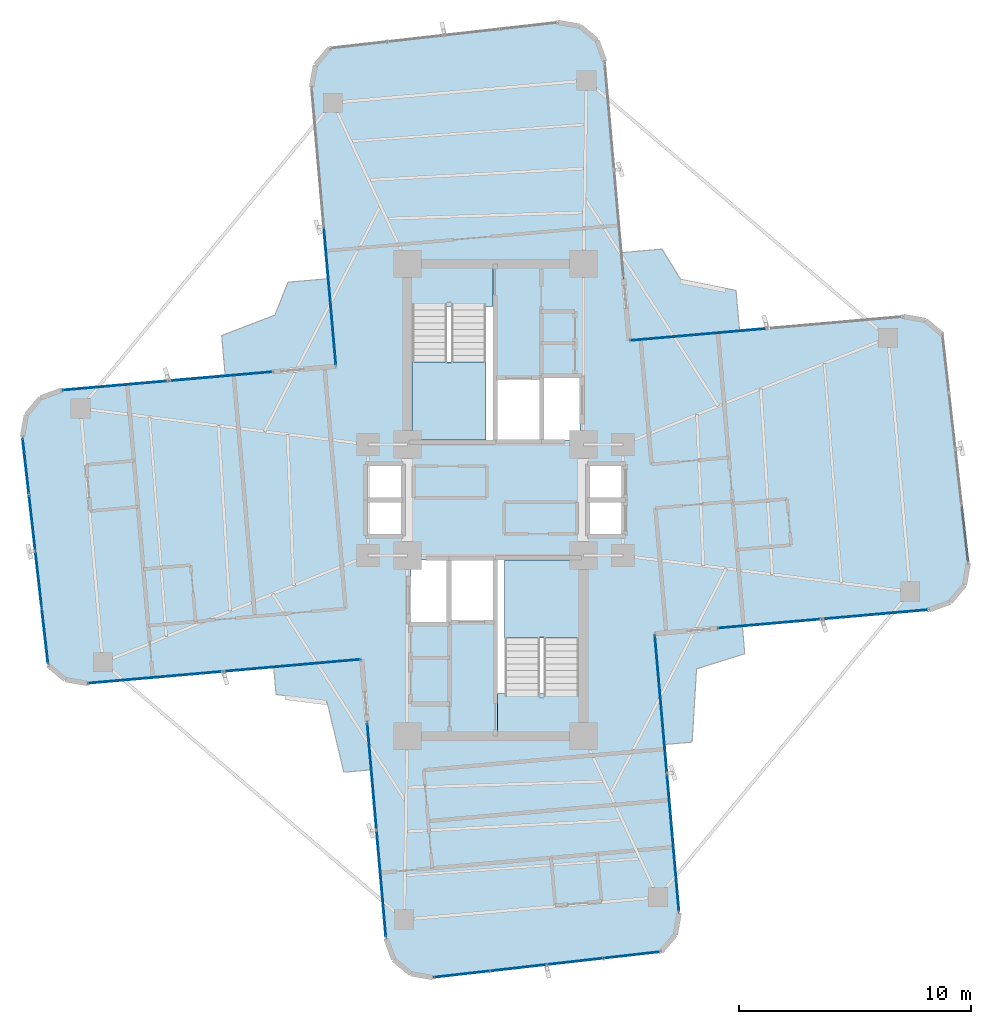
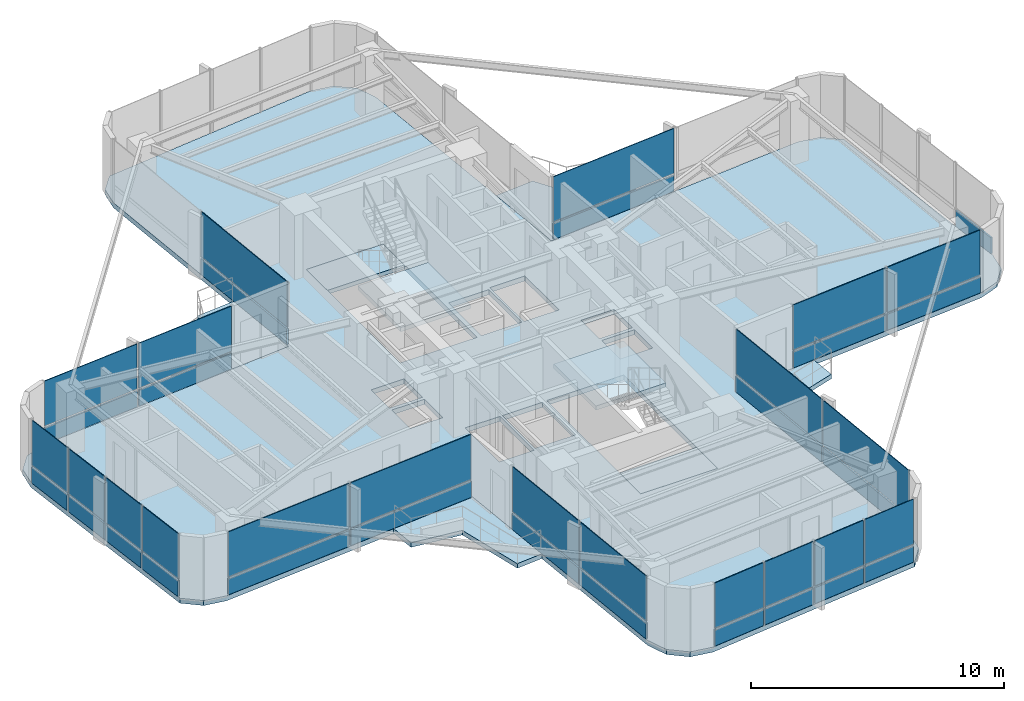
# One storey, part 19 of 24: 41 plates, 9 slabs, 12 elements without a shape of their own.
"""IFC4 building model written with IfcOpenShell, lengths in metres."""

from ifc_helpers import new_model, si_unit, direction, frame, origin, origin_2d, place, context, subcontext, project, spatial, polyline, rectangle, outline, extrude, source, transform, mapped, material, layer, layer_set, type_object, element, aggregate, save


model = new_model("IFC4")

# Units and contexts
model_context = context("Model", 3, precision=1e-05, world=origin(), true_north=direction((0.0, 1.0)))
body_context = subcontext(model_context, "Body", "Model", "MODEL_VIEW")
ifc_project = project(units=[si_unit("LENGTHUNIT", "METRE"), si_unit("AREAUNIT", "SQUARE_METRE"), si_unit("VOLUMEUNIT", "CUBIC_METRE"), si_unit("PLANEANGLEUNIT", "RADIAN"), si_unit("MASSUNIT", "GRAM", prefix="KILO")], contexts=[model_context])

# Site, building, storey
site_placement = place(None, origin())
site = spatial("IfcSite", under=ifc_project, at=site_placement, CompositionType="ELEMENT")
building_placement = place(site_placement, origin())
building = spatial("IfcBuilding", under=site, at=building_placement, Name="Sahyath Konkavel Grand Hotel", CompositionType="ELEMENT")
storey_placement = place(building_placement, frame((0.0, 0.0, 195.300048828125)))
storey = spatial("IfcBuildingStorey", under=building, at=storey_placement, Name="L54", CompositionType="ELEMENT", Elevation=195.300048828125)

# Slabs
ifc_material_1 = material(Name="Concrete C40/50", Category="concrete")
ifc_layer_1 = layer(ifc_material_1, 0.239990234375)
ifc_layer_set_1 = layer_set([ifc_layer_1], Name="Concrete C40/50")
slab_type_1 = type_object("IfcSlabType", Name="SLB-240", PredefinedType="FLOOR", material=ifc_layer_set_1)
slab_1_placement = place(storey_placement, frame((0.0, 0.0, -0.239990234375)))
element("IfcSlab", 1, at=slab_1_placement, inside=storey, type_object=slab_type_1, Name="L54 Structural Floor Slab", PredefinedType="FLOOR", context=body_context, shape_type="SweptSolid", body=[
    extrude(outline(polyline([(6.87939453125, -5.7724609375), (18.73388671875, -4.735107421875), (19.6337890625, -4.40771484375), (20.24951171875, -3.674072265625), (20.415771484375, -2.73095703125), (19.3037109375, 7.134521484375), (18.5703125, 7.75), (17.627197265625, 7.91650390625), (5.7724609375, 6.87939453125), (4.7177734375, 18.93310546875), (4.390380859375, 19.8330078125), (3.65673828125, 20.44873046875), (2.713623046875, 20.614990234375), (-7.152099609375, 19.5029296875), (-7.767578125, 18.769287109375), (-7.933837890625, 17.826416015625), (-6.87939453125, 5.7724609375), (-18.73388671875, 4.735107421875), (-19.6337890625, 4.40771484375), (-20.24951171875, 3.674072265625), (-20.415771484375, 2.73095703125), (-19.3037109375, -7.134521484375), (-18.5703125, -7.75), (-17.627197265625, -7.91650390625), (-5.7724609375, -6.87939453125), (-4.7177734375, -18.93310546875), (-4.390380859375, -19.8330078125), (-3.65673828125, -20.44873046875), (-2.713623046875, -20.614990234375), (7.152099609375, -19.5029296875), (7.767578125, -18.769287109375), (7.933837890625, -17.826416015625), (6.87939453125, -5.7724609375)]), holes=[polyline([(-3.6201171875, 2.580078125), (-0.10009765625, 2.580078125), (-0.10009765625, 10.02001953125), (-3.6201171875, 10.02001953125), (-3.6201171875, 2.580078125)]), polyline([(0.10009765625, -10.02001953125), (3.6201171875, -10.02001953125), (3.6201171875, -2.580078125), (0.10009765625, -2.580078125), (0.10009765625, -10.02001953125)]), polyline([(0.10009765625, 2.60009765625), (1.949951171875, 2.60009765625), (1.949951171875, 5.199951171875), (0.10009765625, 5.199951171875), (0.10009765625, 2.60009765625)]), polyline([(-1.949951171875, -5.199951171875), (-0.10009765625, -5.199951171875), (-0.10009765625, -2.60009765625), (-1.949951171875, -2.60009765625), (-1.949951171875, -5.199951171875)]), polyline([(2.050048828125, 2.60009765625), (3.64990234375, 2.60009765625), (3.64990234375, 5.300048828125), (2.050048828125, 5.300048828125), (2.050048828125, 2.60009765625)]), polyline([(-3.64990234375, -5.300048828125), (-2.050048828125, -5.300048828125), (-2.050048828125, -2.60009765625), (-3.64990234375, -2.60009765625), (-3.64990234375, -5.300048828125)]), polyline([(4.050048828125, 0.080078125), (5.550048828125, 0.080078125), (5.550048828125, 1.5400390625), (4.050048828125, 1.5400390625), (4.050048828125, 0.080078125)]), polyline([(4.050048828125, -1.5400390625), (5.550048828125, -1.5400390625), (5.550048828125, -0.080078125), (4.050048828125, -0.080078125), (4.050048828125, -1.5400390625)]), polyline([(-5.550048828125, 0.080078125), (-4.050048828125, 0.080078125), (-4.050048828125, 1.5400390625), (-5.550048828125, 1.5400390625), (-5.550048828125, 0.080078125)]), polyline([(-5.550048828125, -1.5400390625), (-4.050048828125, -1.5400390625), (-4.050048828125, -0.080078125), (-5.550048828125, -0.080078125), (-5.550048828125, -1.5400390625)])]), origin(), (0.0, 0.0, 1.0), 0.239990234375),
])
ifc_layer_2 = layer(ifc_material_1, 0.219970703125)
ifc_layer_set_2 = layer_set([ifc_layer_2], Name="Concrete C40/50")
slab_type_2 = type_object("IfcSlabType", Name="SLB-BALCONY-220", PredefinedType="FLOOR", material=ifc_layer_set_2)
slab_2_placement = place(storey_placement, frame((0.0, 0.0, -0.219970703125)))
element("IfcSlab", 2, at=slab_2_placement, inside=storey, type_object=slab_type_2, Name="L54 Winter-Garden Balcony NE", PredefinedType="FLOOR", context=body_context, shape_type="SweptSolid", body=[
    extrude(outline(polyline([(5.7724609375, 6.87939453125), (10.541259765625, 7.29638671875), (10.3876953125, 9.05029296875), (7.9951171875, 9.528076171875), (7.19384765625, 10.831298828125), (5.440185546875, 10.677734375), (5.7724609375, 6.87939453125)])), origin(), (0.0, 0.0, 1.0), 0.219970703125),
])
slab_3_placement = place(storey_placement, frame((0.0, 0.0, -0.219970703125)))
element("IfcSlab", 3, at=slab_3_placement, inside=storey, type_object=slab_type_2, Name="L54 Winter-Garden Balcony NW", PredefinedType="FLOOR", context=body_context, shape_type="SweptSolid", body=[
    extrude(outline(polyline([(-6.87939453125, 5.7724609375), (-7.210205078125, 9.554931640625), (-8.955322265625, 9.40234375), (-9.51513671875, 7.984130859375), (-11.816650390625, 7.098876953125), (-11.6640625, 5.353759765625), (-6.87939453125, 5.7724609375)])), origin(), (0.0, 0.0, 1.0), 0.219970703125),
])
slab_4_placement = place(storey_placement, frame((0.0, 0.0, -0.219970703125)))
element("IfcSlab", 4, at=slab_4_placement, inside=storey, type_object=slab_type_2, Name="L54 Winter-Garden Balcony SW", PredefinedType="FLOOR", context=body_context, shape_type="SweptSolid", body=[
    extrude(outline(polyline([(-5.7724609375, -6.87939453125), (-9.57080078125, -7.211669921875), (-9.467041015625, -8.398681640625), (-7.27685546875, -8.672119140625), (-6.542236328125, -11.751953125), (-5.355224609375, -11.648193359375), (-5.7724609375, -6.87939453125)])), origin(), (0.0, 0.0, 1.0), 0.219970703125),
])
slab_5_placement = place(storey_placement, frame((0.0, 0.0, -0.219970703125)))
element("IfcSlab", 5, at=slab_5_placement, inside=storey, type_object=slab_type_2, Name="L54 Winter-Garden Balcony SE", PredefinedType="FLOOR", context=body_context, shape_type="SweptSolid", body=[
    extrude(outline(polyline([(6.87939453125, -5.7724609375), (7.2978515625, -10.55712890625), (8.49365234375, -10.452392578125), (8.685302734375, -7.287841796875), (10.766357421875, -6.63720703125), (10.661865234375, -5.44140625), (6.87939453125, -5.7724609375)])), origin(), (0.0, 0.0, 1.0), 0.219970703125),
])

# Stair, slab
stair_type = type_object("IfcStairType", Name="STR-ST16-335", PredefinedType="HALF_TURN_STAIR", material=ifc_material_1)
stair_1_placement = place(storey_placement, origin())
stair_1 = element("IfcStair", 6, at=stair_1_placement, inside=storey, type_object=stair_type, Name="L54 North Core Smokeproof Exit Stair ST-1", PredefinedType="HALF_TURN_STAIR")
ifc_layer_3 = layer(ifc_material_1, 0.199951171875)
ifc_layer_set_3 = layer_set([ifc_layer_3], Name="Concrete C40/50")
slab_type_3 = type_object("IfcSlabType", Name="SLB-STAIR-LND", PredefinedType="LANDING", material=ifc_layer_set_3)
slab_6_placement = place(storey_placement, frame((0.0, 0.0, 1.474853515625)))
slab_6 = element("IfcSlab", 7, at=slab_6_placement, type_object=slab_type_3, Name="ST-1 landing 1", PredefinedType="LANDING", context=body_context, shape_type="SweptSolid", body=[
    extrude(outline(polyline([(-3.60009765625, 5.9599609375), (-3.60009765625, 2.60009765625), (-0.39990234375, 2.60009765625), (-0.39990234375, 5.9599609375), (-3.60009765625, 5.9599609375)])), origin(), (0.0, 0.0, 1.0), 0.2001953125),
])
aggregate(stair_1, [slab_6])

stair_2_placement = place(storey_placement, origin())
stair_2 = element("IfcStair", 8, at=stair_2_placement, inside=storey, type_object=stair_type, Name="L54 South Core Smokeproof Exit Stair ST-2", PredefinedType="HALF_TURN_STAIR")
slab_7_placement = place(storey_placement, frame((0.0, 0.0, 1.474853515625)))
slab_7 = element("IfcSlab", 9, at=slab_7_placement, type_object=slab_type_3, Name="ST-2 landing 1", PredefinedType="LANDING", context=body_context, shape_type="SweptSolid", body=[
    extrude(outline(polyline([(3.60009765625, -5.9599609375), (3.60009765625, -2.60009765625), (0.39990234375, -2.60009765625), (0.39990234375, -5.9599609375), (3.60009765625, -5.9599609375)])), origin(), (0.0, 0.0, 1.0), 0.2001953125),
])
aggregate(stair_2, [slab_7])

# Slabs
slab_8_placement = place(storey_placement, frame((0.0, 0.0, -0.199951171875)))
element("IfcSlab", 10, at=slab_8_placement, inside=storey, type_object=slab_type_3, Name="L54 Stair ST-1 Floor Landing Slab", PredefinedType="LANDING", context=body_context, shape_type="SweptSolid", body=[
    extrude(outline(polyline([(-3.6201171875, 8.35009765625), (-0.10009765625, 8.35009765625), (-0.10009765625, 10.02001953125), (-3.6201171875, 10.02001953125), (-3.6201171875, 8.35009765625)])), origin(), (0.0, 0.0, 1.0), 0.199951171875),
])
slab_9_placement = place(storey_placement, frame((0.0, 0.0, -0.199951171875)))
element("IfcSlab", 11, at=slab_9_placement, inside=storey, type_object=slab_type_3, Name="L54 Stair ST-2 Floor Landing Slab", PredefinedType="LANDING", context=body_context, shape_type="SweptSolid", body=[
    extrude(outline(polyline([(0.10009765625, -10.02001953125), (3.6201171875, -10.02001953125), (3.6201171875, -8.35009765625), (0.10009765625, -8.35009765625), (0.10009765625, -10.02001953125)])), origin(), (0.0, 0.0, 1.0), 0.199951171875),
])

# Curtain wall, plates
ifc_material_2 = material(Name="Anodised Bronze Aluminium & Low-E Glazing", Category="aluminium")
curtain_wall_type = type_object("IfcCurtainWallType", Name="CW-ZONE3", PredefinedType="NOTDEFINED", material=ifc_material_2)
curtain_wall_1_placement = place(storey_placement, origin())
curtain_wall_1 = element("IfcCurtainWall", 12, at=curtain_wall_1_placement, inside=storey, type_object=curtain_wall_type, Name="L54 Unitised Curtain Wall F0", PredefinedType="NOTDEFINED")
ifc_material_3 = material(Name="Warm Buff Sandstone Cladding", Category="masonry")
ifc_layer_4 = layer(ifc_material_3, 0.074951171875)
ifc_layer_set_4 = layer_set([ifc_layer_4], Name="Warm Buff Sandstone Cladding")
plate_type_1 = type_object("IfcPlateType", Name="PNL-SPANDREL-STONE", PredefinedType="SHEET", material=ifc_layer_set_4)
shared_shape_1 = source(origin(), body_context, "Body", "SweptSolid", [
    extrude(rectangle(XDim=4.47998046875, YDim=0.074951171875, at=origin_2d()), origin(), (0.0, 0.0, 1.0), 0.77001953125),
])
plate_1_placement = place(storey_placement, frame((11.880126953125, -5.334716796875, 0.0400390625), z_axis=(0.0, 0.0, 1.0), x_axis=(0.996194698092, 0.087155742748, 0.0)))
plate_1 = element("IfcPlate", 13, at=plate_1_placement, type_object=plate_type_1, Name="L54 Sandstone Relief Spandrel Panel F0-0", PredefinedType="SHEET", context=body_context, shape_type="MappedRepresentation", body=[
    mapped(shared_shape_1, transform((0.0, 0.0, 0.0), scale=1.0)),
])
plate_2_placement = place(storey_placement, frame((16.4228515625, -4.9375, 0.0400390625), z_axis=(0.0, 0.0, 1.0), x_axis=(0.996194698092, 0.087155742748, 0.0)))
plate_2 = element("IfcPlate", 14, at=plate_2_placement, type_object=plate_type_1, Name="L54 Sandstone Relief Spandrel Panel F0-1", PredefinedType="SHEET", context=body_context, shape_type="MappedRepresentation", body=[
    mapped(shared_shape_1, transform((0.0, 0.0, 0.0), scale=1.0)),
])

curtain_wall_2_placement = place(storey_placement, origin())
curtain_wall_2 = element("IfcCurtainWall", 15, at=curtain_wall_2_placement, inside=storey, type_object=curtain_wall_type, Name="L54 Unitised Curtain Wall F16", PredefinedType="NOTDEFINED")
plate_3_placement = place(storey_placement, frame((-11.880126953125, 5.334716796875, 0.0400390625), z_axis=(0.0, 0.0, 1.0), x_axis=(-0.996194698092, -0.087155742748, 0.0)))
plate_3 = element("IfcPlate", 16, at=plate_3_placement, type_object=plate_type_1, Name="L54 Sandstone Relief Spandrel Panel F16-0", PredefinedType="SHEET", context=body_context, shape_type="MappedRepresentation", body=[
    mapped(shared_shape_1, transform((0.0, 0.0, 0.0), scale=1.0)),
])
plate_4_placement = place(storey_placement, frame((-16.4228515625, 4.9375, 0.0400390625), z_axis=(0.0, 0.0, 1.0), x_axis=(-0.996194698092, -0.087155742748, 0.0)))
plate_4 = element("IfcPlate", 17, at=plate_4_placement, type_object=plate_type_1, Name="L54 Sandstone Relief Spandrel Panel F16-1", PredefinedType="SHEET", context=body_context, shape_type="MappedRepresentation", body=[
    mapped(shared_shape_1, transform((0.0, 0.0, 0.0), scale=1.0)),
])

# Curtain wall, plate
curtain_wall_3_placement = place(storey_placement, origin())
curtain_wall_3 = element("IfcCurtainWall", 18, at=curtain_wall_3_placement, inside=storey, type_object=curtain_wall_type, Name="L54 Unitised Curtain Wall F4", PredefinedType="NOTDEFINED")
shared_shape_2 = source(origin(), body_context, "Body", "SweptSolid", [
    extrude(rectangle(XDim=2.382080078125, YDim=0.074951171875, at=origin_2d()), origin(), (0.0, 0.0, 1.0), 0.77001953125),
])
plate_5_placement = place(storey_placement, frame((20.2734375, -1.468017578125, 0.0400390625), z_axis=(0.0, 0.0, 1.0), x_axis=(-0.111989252568, 0.993709417943, 0.0)))
plate_5 = element("IfcPlate", 19, at=plate_5_placement, type_object=plate_type_1, Name="L54 Sandstone Relief Spandrel Panel F4-0", PredefinedType="SHEET", context=body_context, shape_type="MappedRepresentation", body=[
    mapped(shared_shape_2, transform((0.0, 0.0, 0.0), scale=1.0)),
])
aggregate(curtain_wall_3, [plate_5])

# Curtain wall, plates
curtain_wall_4_placement = place(storey_placement, origin())
curtain_wall_4 = element("IfcCurtainWall", 20, at=curtain_wall_4_placement, inside=storey, type_object=curtain_wall_type, Name="L54 Unitised Curtain Wall F20", PredefinedType="NOTDEFINED")
plate_6_placement = place(storey_placement, frame((-20.2734375, 1.468017578125, 0.0400390625), z_axis=(0.0, 0.0, 1.0), x_axis=(0.111989252568, -0.993709417943, 0.0)))
plate_6 = element("IfcPlate", 21, at=plate_6_placement, type_object=plate_type_1, Name="L54 Sandstone Relief Spandrel Panel F20-0", PredefinedType="SHEET", context=body_context, shape_type="MappedRepresentation", body=[
    mapped(shared_shape_2, transform((0.0, 0.0, 0.0), scale=1.0)),
])
plate_7_placement = place(storey_placement, frame((-19.99755859375, -0.978515625, 0.0400390625), z_axis=(0.0, 0.0, 1.0), x_axis=(0.111989252568, -0.993709417943, 0.0)))
plate_7 = element("IfcPlate", 22, at=plate_7_placement, type_object=plate_type_1, Name="L54 Sandstone Relief Spandrel Panel F20-1", PredefinedType="SHEET", context=body_context, shape_type="MappedRepresentation", body=[
    mapped(shared_shape_2, transform((0.0, 0.0, 0.0), scale=1.0)),
])
plate_8_placement = place(storey_placement, frame((-19.7216796875, -3.425048828125, 0.0400390625), z_axis=(0.0, 0.0, 1.0), x_axis=(0.111989252568, -0.993709417943, 0.0)))
plate_8 = element("IfcPlate", 23, at=plate_8_placement, type_object=plate_type_1, Name="L54 Sandstone Relief Spandrel Panel F20-2", PredefinedType="SHEET", context=body_context, shape_type="MappedRepresentation", body=[
    mapped(shared_shape_2, transform((0.0, 0.0, 0.0), scale=1.0)),
])
plate_9_placement = place(storey_placement, frame((-19.446044921875, -5.87158203125, 0.0400390625), z_axis=(0.0, 0.0, 1.0), x_axis=(0.111989252568, -0.993709417943, 0.0)))
plate_9 = element("IfcPlate", 24, at=plate_9_placement, type_object=plate_type_1, Name="L54 Sandstone Relief Spandrel Panel F20-3", PredefinedType="SHEET", context=body_context, shape_type="MappedRepresentation", body=[
    mapped(shared_shape_2, transform((0.0, 0.0, 0.0), scale=1.0)),
])

curtain_wall_5_placement = place(storey_placement, origin())
curtain_wall_5 = element("IfcCurtainWall", 25, at=curtain_wall_5_placement, inside=storey, type_object=curtain_wall_type, Name="L54 Unitised Curtain Wall F28", PredefinedType="NOTDEFINED")
plate_10_placement = place(storey_placement, frame((-1.45068359375, -20.47265625, 0.0400390625), z_axis=(0.0, 0.0, 1.0), x_axis=(0.993707463211, 0.112006596052, 0.0)))
plate_10 = element("IfcPlate", 26, at=plate_10_placement, type_object=plate_type_1, Name="L54 Sandstone Relief Spandrel Panel F28-0", PredefinedType="SHEET", context=body_context, shape_type="MappedRepresentation", body=[
    mapped(shared_shape_2, transform((0.0, 0.0, 0.0), scale=1.0)),
])
plate_11_placement = place(storey_placement, frame((0.995849609375, -20.197021484375, 0.0400390625), z_axis=(0.0, 0.0, 1.0), x_axis=(0.993707463211, 0.112006596052, 0.0)))
plate_11 = element("IfcPlate", 27, at=plate_11_placement, type_object=plate_type_1, Name="L54 Sandstone Relief Spandrel Panel F28-1", PredefinedType="SHEET", context=body_context, shape_type="MappedRepresentation", body=[
    mapped(shared_shape_2, transform((0.0, 0.0, 0.0), scale=1.0)),
])
plate_12_placement = place(storey_placement, frame((3.4423828125, -19.921142578125, 0.0400390625), z_axis=(0.0, 0.0, 1.0), x_axis=(0.993707463211, 0.112006596052, 0.0)))
plate_12 = element("IfcPlate", 28, at=plate_12_placement, type_object=plate_type_1, Name="L54 Sandstone Relief Spandrel Panel F28-2", PredefinedType="SHEET", context=body_context, shape_type="MappedRepresentation", body=[
    mapped(shared_shape_2, transform((0.0, 0.0, 0.0), scale=1.0)),
])
plate_13_placement = place(storey_placement, frame((5.888916015625, -19.6455078125, 0.0400390625), z_axis=(0.0, 0.0, 1.0), x_axis=(0.993707463211, 0.112006596052, 0.0)))
plate_13 = element("IfcPlate", 29, at=plate_13_placement, type_object=plate_type_1, Name="L54 Sandstone Relief Spandrel Panel F28-3", PredefinedType="SHEET", context=body_context, shape_type="MappedRepresentation", body=[
    mapped(shared_shape_2, transform((0.0, 0.0, 0.0), scale=1.0)),
])

# Curtain wall, plate
curtain_wall_6_placement = place(storey_placement, origin())
curtain_wall_6 = element("IfcCurtainWall", 30, at=curtain_wall_6_placement, inside=storey, type_object=curtain_wall_type, Name="L54 Unitised Curtain Wall F7", PredefinedType="NOTDEFINED")
shared_shape_3 = source(origin(), body_context, "Body", "SweptSolid", [
    extrude(rectangle(XDim=5.830078125, YDim=0.074951171875, at=origin_2d()), origin(), (0.0, 0.0, 1.0), 0.77001953125),
])
plate_14_placement = place(storey_placement, frame((8.756103515625, 7.140380859375, 0.0400390625), z_axis=(0.0, 0.0, 1.0), x_axis=(-0.996194698092, -0.087155742748, 0.0)))
plate_14 = element("IfcPlate", 31, at=plate_14_placement, type_object=plate_type_1, Name="L54 Sandstone Relief Spandrel Panel F7-1", PredefinedType="SHEET", context=body_context, shape_type="MappedRepresentation", body=[
    mapped(shared_shape_3, transform((0.0, 0.0, 0.0), scale=1.0)),
])

# Curtain wall, plates
curtain_wall_7_placement = place(storey_placement, origin())
curtain_wall_7 = element("IfcCurtainWall", 32, at=curtain_wall_7_placement, inside=storey, type_object=curtain_wall_type, Name="L54 Unitised Curtain Wall F23", PredefinedType="NOTDEFINED")
plate_15_placement = place(storey_placement, frame((-14.6435546875, -7.655517578125, 0.0400390625), z_axis=(0.0, 0.0, 1.0), x_axis=(0.996194698092, 0.087155742748, 0.0)))
plate_15 = element("IfcPlate", 33, at=plate_15_placement, type_object=plate_type_1, Name="L54 Sandstone Relief Spandrel Panel F23-0", PredefinedType="SHEET", context=body_context, shape_type="MappedRepresentation", body=[
    mapped(shared_shape_3, transform((0.0, 0.0, 0.0), scale=1.0)),
])
plate_16_placement = place(storey_placement, frame((-8.756103515625, -7.140380859375, 0.0400390625), z_axis=(0.0, 0.0, 1.0), x_axis=(0.996194698092, 0.087155742748, 0.0)))
plate_16 = element("IfcPlate", 34, at=plate_16_placement, type_object=plate_type_1, Name="L54 Sandstone Relief Spandrel Panel F23-1", PredefinedType="SHEET", context=body_context, shape_type="MappedRepresentation", body=[
    mapped(shared_shape_3, transform((0.0, 0.0, 0.0), scale=1.0)),
])

curtain_wall_8_placement = place(storey_placement, origin())
curtain_wall_8 = element("IfcCurtainWall", 35, at=curtain_wall_8_placement, inside=storey, type_object=curtain_wall_type, Name="L54 Unitised Curtain Wall F24", PredefinedType="NOTDEFINED")
shared_shape_4 = source(origin(), body_context, "Body", "SweptSolid", [
    extrude(rectangle(XDim=4.580078125, YDim=0.074951171875, at=origin_2d()), origin(), (0.0, 0.0, 1.0), 0.77001953125),
])
plate_17_placement = place(storey_placement, frame((-5.33056640625, -11.929931640625, 0.0400390625), z_axis=(0.0, 0.0, 1.0), x_axis=(0.087155742748, -0.996194698092, 0.0)))
plate_17 = element("IfcPlate", 36, at=plate_17_placement, type_object=plate_type_1, Name="L54 Sandstone Relief Spandrel Panel F24-0", PredefinedType="SHEET", context=body_context, shape_type="MappedRepresentation", body=[
    mapped(shared_shape_4, transform((0.0, 0.0, 0.0), scale=1.0)),
])
plate_18_placement = place(storey_placement, frame((-4.92431640625, -16.572265625, 0.0400390625), z_axis=(0.0, 0.0, 1.0), x_axis=(0.087155742748, -0.996194698092, 0.0)))
plate_18 = element("IfcPlate", 37, at=plate_18_placement, type_object=plate_type_1, Name="L54 Sandstone Relief Spandrel Panel F24-1", PredefinedType="SHEET", context=body_context, shape_type="MappedRepresentation", body=[
    mapped(shared_shape_4, transform((0.0, 0.0, 0.0), scale=1.0)),
])

# Curtain wall, plate
curtain_wall_9_placement = place(storey_placement, origin())
curtain_wall_9 = element("IfcCurtainWall", 38, at=curtain_wall_9_placement, inside=storey, type_object=curtain_wall_type, Name="L54 Unitised Curtain Wall F15", PredefinedType="NOTDEFINED")
shared_shape_5 = source(origin(), body_context, "Body", "SweptSolid", [
    extrude(rectangle(XDim=5.929931640625, YDim=0.074951171875, at=origin_2d()), origin(), (0.0, 0.0, 1.0), 0.77001953125),
])
plate_19_placement = place(storey_placement, frame((-7.144775390625, 8.805908203125, 0.0400390625), z_axis=(0.0, 0.0, 1.0), x_axis=(0.087155742748, -0.996194698092, 0.0)))
plate_19 = element("IfcPlate", 39, at=plate_19_placement, type_object=plate_type_1, Name="L54 Sandstone Relief Spandrel Panel F15-1", PredefinedType="SHEET", context=body_context, shape_type="MappedRepresentation", body=[
    mapped(shared_shape_5, transform((0.0, 0.0, 0.0), scale=1.0)),
])

# Curtain wall, plates
curtain_wall_10_placement = place(storey_placement, origin())
curtain_wall_10 = element("IfcCurtainWall", 40, at=curtain_wall_10_placement, inside=storey, type_object=curtain_wall_type, Name="L54 Unitised Curtain Wall F31", PredefinedType="NOTDEFINED")
plate_20_placement = place(storey_placement, frame((7.66845703125, -14.79296875, 0.0400390625), z_axis=(0.0, 0.0, 1.0), x_axis=(-0.087155742748, 0.996194698092, 0.0)))
plate_20 = element("IfcPlate", 41, at=plate_20_placement, type_object=plate_type_1, Name="L54 Sandstone Relief Spandrel Panel F31-0", PredefinedType="SHEET", context=body_context, shape_type="MappedRepresentation", body=[
    mapped(shared_shape_5, transform((0.0, 0.0, 0.0), scale=1.0)),
])
plate_21_placement = place(storey_placement, frame((7.144775390625, -8.805908203125, 0.0400390625), z_axis=(0.0, 0.0, 1.0), x_axis=(-0.087155742748, 0.996194698092, 0.0)))
plate_21 = element("IfcPlate", 42, at=plate_21_placement, type_object=plate_type_1, Name="L54 Sandstone Relief Spandrel Panel F31-1", PredefinedType="SHEET", context=body_context, shape_type="MappedRepresentation", body=[
    mapped(shared_shape_5, transform((0.0, 0.0, 0.0), scale=1.0)),
])

# Plate
ifc_material_4 = material(Name="Low-E Solar Control Double Glazing", Category="glass")
ifc_layer_5 = layer(ifc_material_4, 0.035888671875)
ifc_layer_set_5 = layer_set([ifc_layer_5], Name="Low-E Solar Control Double Glazing")
plate_type_2 = type_object("IfcPlateType", Name="PNL-VISION-LOWE", PredefinedType="CURTAIN_PANEL", material=ifc_layer_set_5)
shared_shape_6 = source(origin(), body_context, "Body", "SweptSolid", [
    extrude(rectangle(XDim=4.47998046875, YDim=0.035888671875, at=origin_2d()), origin(), (0.0, 0.0, 1.0), 2.179931640625),
])
plate_22_placement = place(storey_placement, frame((11.880126953125, -5.334716796875, 0.89013671875), z_axis=(0.0, 0.0, 1.0), x_axis=(0.996194698092, 0.087155742748, 0.0)))
plate_22 = element("IfcPlate", 43, at=plate_22_placement, type_object=plate_type_2, Name="L54 Low-E Vision Glazing Panel F0-0", PredefinedType="CURTAIN_PANEL", context=body_context, shape_type="MappedRepresentation", body=[
    mapped(shared_shape_6, transform((0.0, 0.0, 0.0), scale=1.0)),
])

plate_23_placement = place(storey_placement, frame((16.4228515625, -4.9375, 0.89013671875), z_axis=(0.0, 0.0, 1.0), x_axis=(0.996194698092, 0.087155742748, 0.0)))
plate_23 = element("IfcPlate", 44, at=plate_23_placement, type_object=plate_type_2, Name="L54 Low-E Vision Glazing Panel F0-1", PredefinedType="CURTAIN_PANEL", context=body_context, shape_type="MappedRepresentation", body=[
    mapped(shared_shape_6, transform((0.0, 0.0, 0.0), scale=1.0)),
])

aggregate(curtain_wall_1, [plate_1, plate_22, plate_2, plate_23])

plate_24_placement = place(storey_placement, frame((-11.880126953125, 5.334716796875, 0.89013671875), z_axis=(0.0, 0.0, 1.0), x_axis=(-0.996194698092, -0.087155742748, 0.0)))
plate_24 = element("IfcPlate", 45, at=plate_24_placement, type_object=plate_type_2, Name="L54 Low-E Vision Glazing Panel F16-0", PredefinedType="CURTAIN_PANEL", context=body_context, shape_type="MappedRepresentation", body=[
    mapped(shared_shape_6, transform((0.0, 0.0, 0.0), scale=1.0)),
])

plate_25_placement = place(storey_placement, frame((-16.4228515625, 4.9375, 0.89013671875), z_axis=(0.0, 0.0, 1.0), x_axis=(-0.996194698092, -0.087155742748, 0.0)))
plate_25 = element("IfcPlate", 46, at=plate_25_placement, type_object=plate_type_2, Name="L54 Low-E Vision Glazing Panel F16-1", PredefinedType="CURTAIN_PANEL", context=body_context, shape_type="MappedRepresentation", body=[
    mapped(shared_shape_6, transform((0.0, 0.0, 0.0), scale=1.0)),
])

aggregate(curtain_wall_2, [plate_3, plate_24, plate_4, plate_25])

shared_shape_7 = source(origin(), body_context, "Body", "SweptSolid", [
    extrude(rectangle(XDim=2.382080078125, YDim=0.035888671875, at=origin_2d()), origin(), (0.0, 0.0, 1.0), 2.179931640625),
])
plate_26_placement = place(storey_placement, frame((-20.2734375, 1.468017578125, 0.89013671875), z_axis=(0.0, 0.0, 1.0), x_axis=(0.111989252568, -0.993709417943, 0.0)))
plate_26 = element("IfcPlate", 47, at=plate_26_placement, type_object=plate_type_2, Name="L54 Low-E Vision Glazing Panel F20-0", PredefinedType="CURTAIN_PANEL", context=body_context, shape_type="MappedRepresentation", body=[
    mapped(shared_shape_7, transform((0.0, 0.0, 0.0), scale=1.0)),
])

plate_27_placement = place(storey_placement, frame((-19.99755859375, -0.978515625, 0.89013671875), z_axis=(0.0, 0.0, 1.0), x_axis=(0.111989252568, -0.993709417943, 0.0)))
plate_27 = element("IfcPlate", 48, at=plate_27_placement, type_object=plate_type_2, Name="L54 Low-E Vision Glazing Panel F20-1", PredefinedType="CURTAIN_PANEL", context=body_context, shape_type="MappedRepresentation", body=[
    mapped(shared_shape_7, transform((0.0, 0.0, 0.0), scale=1.0)),
])

plate_28_placement = place(storey_placement, frame((-19.7216796875, -3.425048828125, 0.89013671875), z_axis=(0.0, 0.0, 1.0), x_axis=(0.111989252568, -0.993709417943, 0.0)))
plate_28 = element("IfcPlate", 49, at=plate_28_placement, type_object=plate_type_2, Name="L54 Low-E Vision Glazing Panel F20-2", PredefinedType="CURTAIN_PANEL", context=body_context, shape_type="MappedRepresentation", body=[
    mapped(shared_shape_7, transform((0.0, 0.0, 0.0), scale=1.0)),
])

plate_29_placement = place(storey_placement, frame((-19.446044921875, -5.87158203125, 0.89013671875), z_axis=(0.0, 0.0, 1.0), x_axis=(0.111989252568, -0.993709417943, 0.0)))
plate_29 = element("IfcPlate", 50, at=plate_29_placement, type_object=plate_type_2, Name="L54 Low-E Vision Glazing Panel F20-3", PredefinedType="CURTAIN_PANEL", context=body_context, shape_type="MappedRepresentation", body=[
    mapped(shared_shape_7, transform((0.0, 0.0, 0.0), scale=1.0)),
])

aggregate(curtain_wall_4, [plate_6, plate_26, plate_7, plate_27, plate_8, plate_28, plate_9, plate_29])

plate_30_placement = place(storey_placement, frame((-1.45068359375, -20.47265625, 0.89013671875), z_axis=(0.0, 0.0, 1.0), x_axis=(0.993707463211, 0.112006596052, 0.0)))
plate_30 = element("IfcPlate", 51, at=plate_30_placement, type_object=plate_type_2, Name="L54 Low-E Vision Glazing Panel F28-0", PredefinedType="CURTAIN_PANEL", context=body_context, shape_type="MappedRepresentation", body=[
    mapped(shared_shape_7, transform((0.0, 0.0, 0.0), scale=1.0)),
])

plate_31_placement = place(storey_placement, frame((0.995849609375, -20.197021484375, 0.89013671875), z_axis=(0.0, 0.0, 1.0), x_axis=(0.993707463211, 0.112006596052, 0.0)))
plate_31 = element("IfcPlate", 52, at=plate_31_placement, type_object=plate_type_2, Name="L54 Low-E Vision Glazing Panel F28-1", PredefinedType="CURTAIN_PANEL", context=body_context, shape_type="MappedRepresentation", body=[
    mapped(shared_shape_7, transform((0.0, 0.0, 0.0), scale=1.0)),
])

plate_32_placement = place(storey_placement, frame((3.4423828125, -19.921142578125, 0.89013671875), z_axis=(0.0, 0.0, 1.0), x_axis=(0.993707463211, 0.112006596052, 0.0)))
plate_32 = element("IfcPlate", 53, at=plate_32_placement, type_object=plate_type_2, Name="L54 Low-E Vision Glazing Panel F28-2", PredefinedType="CURTAIN_PANEL", context=body_context, shape_type="MappedRepresentation", body=[
    mapped(shared_shape_7, transform((0.0, 0.0, 0.0), scale=1.0)),
])

plate_33_placement = place(storey_placement, frame((5.888916015625, -19.6455078125, 0.89013671875), z_axis=(0.0, 0.0, 1.0), x_axis=(0.993707463211, 0.112006596052, 0.0)))
plate_33 = element("IfcPlate", 54, at=plate_33_placement, type_object=plate_type_2, Name="L54 Low-E Vision Glazing Panel F28-3", PredefinedType="CURTAIN_PANEL", context=body_context, shape_type="MappedRepresentation", body=[
    mapped(shared_shape_7, transform((0.0, 0.0, 0.0), scale=1.0)),
])

aggregate(curtain_wall_5, [plate_10, plate_30, plate_11, plate_31, plate_12, plate_32, plate_13, plate_33])

shared_shape_8 = source(origin(), body_context, "Body", "SweptSolid", [
    extrude(rectangle(XDim=5.830078125, YDim=0.035888671875, at=origin_2d()), origin(), (0.0, 0.0, 1.0), 2.179931640625),
])
plate_34_placement = place(storey_placement, frame((8.756103515625, 7.140380859375, 0.89013671875), z_axis=(0.0, 0.0, 1.0), x_axis=(-0.996194698092, -0.087155742748, 0.0)))
plate_34 = element("IfcPlate", 55, at=plate_34_placement, type_object=plate_type_2, Name="L54 Low-E Vision Glazing Panel F7-1", PredefinedType="CURTAIN_PANEL", context=body_context, shape_type="MappedRepresentation", body=[
    mapped(shared_shape_8, transform((0.0, 0.0, 0.0), scale=1.0)),
])

aggregate(curtain_wall_6, [plate_14, plate_34])

plate_35_placement = place(storey_placement, frame((-14.6435546875, -7.655517578125, 0.89013671875), z_axis=(0.0, 0.0, 1.0), x_axis=(0.996194698092, 0.087155742748, 0.0)))
plate_35 = element("IfcPlate", 56, at=plate_35_placement, type_object=plate_type_2, Name="L54 Low-E Vision Glazing Panel F23-0", PredefinedType="CURTAIN_PANEL", context=body_context, shape_type="MappedRepresentation", body=[
    mapped(shared_shape_8, transform((0.0, 0.0, 0.0), scale=1.0)),
])

plate_36_placement = place(storey_placement, frame((-8.756103515625, -7.140380859375, 0.89013671875), z_axis=(0.0, 0.0, 1.0), x_axis=(0.996194698092, 0.087155742748, 0.0)))
plate_36 = element("IfcPlate", 57, at=plate_36_placement, type_object=plate_type_2, Name="L54 Low-E Vision Glazing Panel F23-1", PredefinedType="CURTAIN_PANEL", context=body_context, shape_type="MappedRepresentation", body=[
    mapped(shared_shape_8, transform((0.0, 0.0, 0.0), scale=1.0)),
])

aggregate(curtain_wall_7, [plate_15, plate_35, plate_16, plate_36])

shared_shape_9 = source(origin(), body_context, "Body", "SweptSolid", [
    extrude(rectangle(XDim=4.580078125, YDim=0.035888671875, at=origin_2d()), origin(), (0.0, 0.0, 1.0), 2.179931640625),
])
plate_37_placement = place(storey_placement, frame((-5.33056640625, -11.929931640625, 0.89013671875), z_axis=(0.0, 0.0, 1.0), x_axis=(0.087155742748, -0.996194698092, 0.0)))
plate_37 = element("IfcPlate", 58, at=plate_37_placement, type_object=plate_type_2, Name="L54 Low-E Vision Glazing Panel F24-0", PredefinedType="CURTAIN_PANEL", context=body_context, shape_type="MappedRepresentation", body=[
    mapped(shared_shape_9, transform((0.0, 0.0, 0.0), scale=1.0)),
])

plate_38_placement = place(storey_placement, frame((-4.92431640625, -16.572265625, 0.89013671875), z_axis=(0.0, 0.0, 1.0), x_axis=(0.087155742748, -0.996194698092, 0.0)))
plate_38 = element("IfcPlate", 59, at=plate_38_placement, type_object=plate_type_2, Name="L54 Low-E Vision Glazing Panel F24-1", PredefinedType="CURTAIN_PANEL", context=body_context, shape_type="MappedRepresentation", body=[
    mapped(shared_shape_9, transform((0.0, 0.0, 0.0), scale=1.0)),
])

aggregate(curtain_wall_8, [plate_17, plate_37, plate_18, plate_38])

shared_shape_10 = source(origin(), body_context, "Body", "SweptSolid", [
    extrude(rectangle(XDim=5.929931640625, YDim=0.035888671875, at=origin_2d()), origin(), (0.0, 0.0, 1.0), 2.179931640625),
])
plate_39_placement = place(storey_placement, frame((-7.144775390625, 8.805908203125, 0.89013671875), z_axis=(0.0, 0.0, 1.0), x_axis=(0.087155742748, -0.996194698092, 0.0)))
plate_39 = element("IfcPlate", 60, at=plate_39_placement, type_object=plate_type_2, Name="L54 Low-E Vision Glazing Panel F15-1", PredefinedType="CURTAIN_PANEL", context=body_context, shape_type="MappedRepresentation", body=[
    mapped(shared_shape_10, transform((0.0, 0.0, 0.0), scale=1.0)),
])

aggregate(curtain_wall_9, [plate_19, plate_39])

plate_40_placement = place(storey_placement, frame((7.66845703125, -14.79296875, 0.89013671875), z_axis=(0.0, 0.0, 1.0), x_axis=(-0.087155742748, 0.996194698092, 0.0)))
plate_40 = element("IfcPlate", 61, at=plate_40_placement, type_object=plate_type_2, Name="L54 Low-E Vision Glazing Panel F31-0", PredefinedType="CURTAIN_PANEL", context=body_context, shape_type="MappedRepresentation", body=[
    mapped(shared_shape_10, transform((0.0, 0.0, 0.0), scale=1.0)),
])

plate_41_placement = place(storey_placement, frame((7.144775390625, -8.805908203125, 0.89013671875), z_axis=(0.0, 0.0, 1.0), x_axis=(-0.087155742748, 0.996194698092, 0.0)))
plate_41 = element("IfcPlate", 62, at=plate_41_placement, type_object=plate_type_2, Name="L54 Low-E Vision Glazing Panel F31-1", PredefinedType="CURTAIN_PANEL", context=body_context, shape_type="MappedRepresentation", body=[
    mapped(shared_shape_10, transform((0.0, 0.0, 0.0), scale=1.0)),
])

aggregate(curtain_wall_10, [plate_20, plate_40, plate_21, plate_41])

save(model, "model.ifc")
